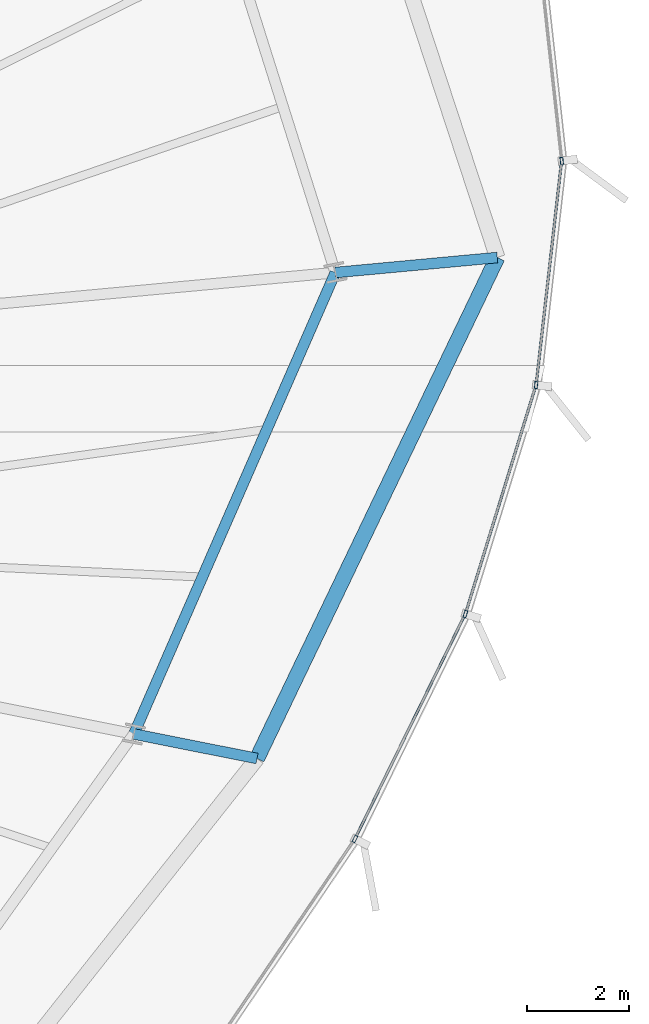
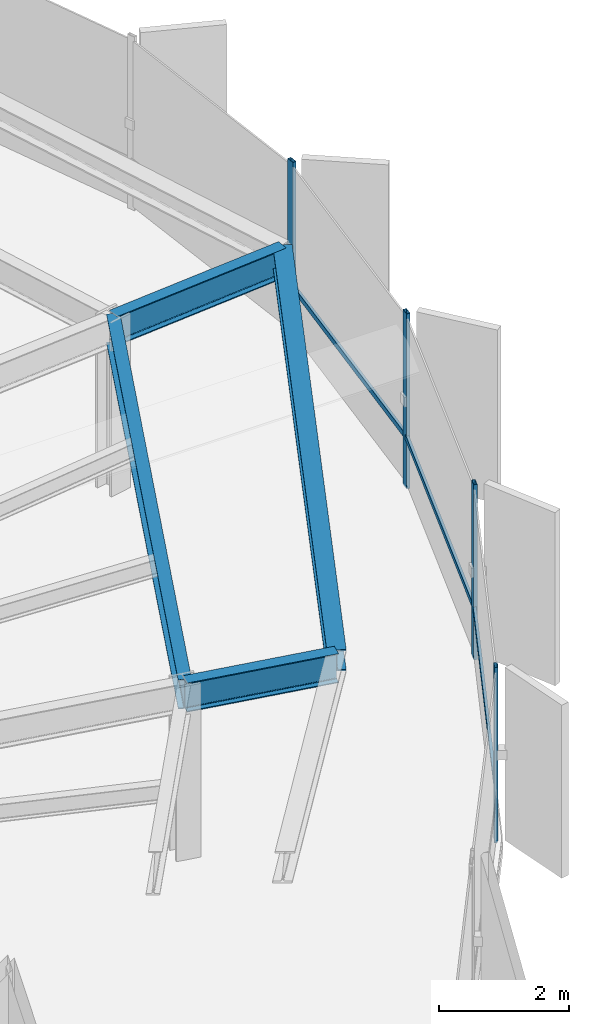
# One storey, part 16 of 36: 7 members, 4 beams, 1 element without a shape of its own.
"""IFC4 building model written with IfcOpenShell, lengths in metres."""

from ifc_helpers import new_model, si_unit, direction, frame, origin, origin_2d, place, context, subcontext, project, spatial, hollow_rectangle, i_section, extrude, source, transform, mapped, material, layer, layer_set, material_profile, profile_set, type_object, element, aggregate, save


model = new_model("IFC4")

# Units and contexts
model_context = context("Model", 3, precision=1e-05, world=origin(), true_north=direction((0.0, 1.0)))
body_context = subcontext(model_context, "Body", "Model", "MODEL_VIEW")
ifc_project = project(units=[si_unit("LENGTHUNIT", "METRE"), si_unit("AREAUNIT", "SQUARE_METRE"), si_unit("VOLUMEUNIT", "CUBIC_METRE"), si_unit("PLANEANGLEUNIT", "RADIAN"), si_unit("MASSUNIT", "GRAM", prefix="KILO"), si_unit("THERMODYNAMICTEMPERATUREUNIT", "KELVIN")], contexts=[model_context])

# Site, building, storey
site_placement = place(None, origin())
site = spatial("IfcSite", under=ifc_project, at=site_placement, CompositionType="ELEMENT")
building_placement = place(site_placement, origin())
building = spatial("IfcBuilding", under=site, at=building_placement, Name="Kethvar Cultural Tower", CompositionType="ELEMENT")
storey_placement = place(building_placement, frame((0.0, 0.0, 150.10009765625)))
storey = spatial("IfcBuildingStorey", under=building, at=storey_placement, Name="L38", CompositionType="ELEMENT", Elevation=150.10009765625)

# Beams
ifc_material_1 = material(Name="Steel S355J2", Category="steel")
ifc_material_profile_1 = material_profile(ifc_material_1, i_section(OverallWidth=0.2099609375, OverallDepth=0.550048828125, WebThickness=0.010986328125, FlangeThickness=0.01708984375, FilletRadius=0.02392578125, at=origin_2d()), Name="Steel S355J2 — IPE550")
ifc_profile_set_1 = profile_set([ifc_material_profile_1], Name="Steel S355J2 — IPE550")
beam_type_1 = type_object("IfcBeamType", Name="BM-IPE550", PredefinedType="BEAM", material=ifc_profile_set_1)
shared_shape_1 = source(origin(), body_context, "Body", "SweptSolid", [
    extrude(i_section(OverallWidth=0.2099609375, OverallDepth=0.550048828125, WebThickness=0.010986328125, FlangeThickness=0.01708984375, FilletRadius=0.02392578125, at=origin_2d()), origin(), (0.0, 0.0, 1.0), 3.199951171875),
])
beam_1_placement = place(storey_placement, frame((71.6025390625, 32.7333984375, 3.02294921875), z_axis=(0.995729641608, 0.092317283453, 0.0), x_axis=(-0.092317283453, 0.995729641608, 0.0)))
element("IfcBeam", 1, at=beam_1_placement, inside=storey, type_object=beam_type_1, Name="L38 Perimeter Cantilever Beam RC-01", PredefinedType="BEAM", context=body_context, shape_type="MappedRepresentation", body=[
    mapped(shared_shape_1, transform((0.0, 0.0, 0.0), scale=1.0)),
])
shared_shape_2 = source(origin(), body_context, "Body", "SweptSolid", [
    extrude(i_section(OverallWidth=0.2099609375, OverallDepth=0.550048828125, WebThickness=0.010986328125, FlangeThickness=0.01708984375, FilletRadius=0.02392578125, at=origin_2d()), origin(), (0.0, 0.0, 1.0), 9.90625),
])
beam_2_placement = place(storey_placement, frame((67.638671875, 23.65478515625, 3.02294921875), z_axis=(0.400138679026, 0.916454602011, 0.0), x_axis=(-0.916454602011, 0.400138679026, 0.0)))
element("IfcBeam", 2, at=beam_2_placement, inside=storey, type_object=beam_type_1, Name="L38 Column Ring Tie Beam CR-16", PredefinedType="BEAM", context=body_context, shape_type="MappedRepresentation", body=[
    mapped(shared_shape_2, transform((0.0, 0.0, 0.0), scale=1.0)),
])
shared_shape_3 = source(origin(), body_context, "Body", "SweptSolid", [
    extrude(i_section(OverallWidth=0.2099609375, OverallDepth=0.550048828125, WebThickness=0.010986328125, FlangeThickness=0.01708984375, FilletRadius=0.02392578125, at=origin_2d()), origin(), (0.0, 0.0, 1.0), 2.47021484375),
])
beam_3_placement = place(storey_placement, frame((67.638671875, 23.65478515625, 3.02294921875), z_axis=(0.980804306113, -0.194994648928, 0.0), x_axis=(0.194994648928, 0.980804306113, 0.0)))
element("IfcBeam", 3, at=beam_3_placement, inside=storey, type_object=beam_type_1, Name="L38 Perimeter Cantilever Beam RC-16", PredefinedType="BEAM", context=body_context, shape_type="MappedRepresentation", body=[
    mapped(shared_shape_3, transform((0.0, 0.0, 0.0), scale=1.0)),
])
ifc_material_profile_2 = material_profile(ifc_material_1, i_section(OverallWidth=0.300048828125, OverallDepth=0.39990234375, WebThickness=0.013427734375, FlangeThickness=0.02392578125, FilletRadius=0.027099609375, at=origin_2d()), Name="Steel S355J2 — HEB400")
ifc_profile_set_2 = profile_set([ifc_material_profile_2], Name="Steel S355J2 — HEB400")
beam_type_2 = type_object("IfcBeamType", Name="BM-SP400", PredefinedType="SPANDREL", material=ifc_profile_set_2)
shared_shape_4 = source(origin(), body_context, "Body", "SweptSolid", [
    extrude(i_section(OverallWidth=0.300048828125, OverallDepth=0.39990234375, WebThickness=0.013427734375, FlangeThickness=0.02392578125, FilletRadius=0.027099609375, at=origin_2d()), origin(), (0.0, 0.0, 1.0), 10.930908203125),
])
beam_4_placement = place(storey_placement, frame((70.0615234375, 23.173095703125, 3.097900390625), z_axis=(0.432474733651, 0.901646052924, 0.0), x_axis=(-0.901646052924, 0.432474733651, 0.0)))
element("IfcBeam", 4, at=beam_4_placement, inside=storey, type_object=beam_type_2, Name="L38 Perimeter Spandrel Beam SP-16", PredefinedType="SPANDREL", context=body_context, shape_type="MappedRepresentation", body=[
    mapped(shared_shape_4, transform((0.0, 0.0, 0.0), scale=1.0)),
])

# Curtain wall, members
ifc_material_2 = material(Name="Aluminium 6063-T6", Category="aluminium")
ifc_layer = layer(ifc_material_2, 0.179931640625, Name="Aluminium 6063-T6", Category="aluminium")
ifc_layer_set = layer_set([ifc_layer], Name="Aluminium 6063-T6 (180 mm)")
curtain_wall_type = type_object("IfcCurtainWallType", Name="CW-SYS-04-Z34", PredefinedType="NOTDEFINED", material=ifc_layer_set)
curtain_wall_placement = place(storey_placement, origin())
curtain_wall = element("IfcCurtainWall", 5, at=curtain_wall_placement, inside=storey, type_object=curtain_wall_type, Name="L38 Curtain Wall Run 06", PredefinedType="NOTDEFINED")
ifc_material_profile_3 = material_profile(ifc_material_2, hollow_rectangle(XDim=0.06005859375, YDim=0.139892578125, WallThickness=0.0048828125, at=origin_2d()), Name="Aluminium 6063-T6 — RHS140x60x5")
ifc_profile_set_3 = profile_set([ifc_material_profile_3], Name="Aluminium 6063-T6 — RHS140x60x5")
member_type_1 = type_object("IfcMemberType", Name="CW-SYS-04-Z34-MUL", PredefinedType="MULLION", material=ifc_profile_set_3)
shared_shape_5 = source(origin(), body_context, "Body", "SweptSolid", [
    extrude(hollow_rectangle(XDim=0.06005859375, YDim=0.139892578125, WallThickness=0.0048828125, at=origin_2d()), origin(), (0.0, 0.0, 1.0), 3.2998046875),
])
member_1_placement = place(storey_placement, frame((71.987060546875, 21.589599609375, 0.0), z_axis=(0.0, 0.0, 1.0), x_axis=(-0.897697152248, 0.44061300803, 0.0)))
member_1 = element("IfcMember", 6, at=member_1_placement, type_object=member_type_1, Name="CW-L38-R06 Mullion 2", PredefinedType="MULLION", context=body_context, shape_type="MappedRepresentation", body=[
    mapped(shared_shape_5, transform((0.0, 0.0, 0.0), scale=1.0)),
])
member_2_placement = place(storey_placement, frame((74.1611328125, 26.015869140625, 0.0), z_axis=(0.0, 0.0, 1.0), x_axis=(-0.955597789673, 0.294674166449, 0.0)))
member_2 = element("IfcMember", 7, at=member_2_placement, type_object=member_type_1, Name="CW-L38-R06 Mullion 3", PredefinedType="MULLION", context=body_context, shape_type="MappedRepresentation", body=[
    mapped(shared_shape_5, transform((0.0, 0.0, 0.0), scale=1.0)),
])
member_3_placement = place(storey_placement, frame((75.55224609375, 30.520751953125, 0.0), z_axis=(0.0, 0.0, 1.0), x_axis=(-0.993603429237, 0.112925751754, 0.0)))
member_3 = element("IfcMember", 8, at=member_3_placement, type_object=member_type_1, Name="CW-L38-R06 Mullion 4", PredefinedType="MULLION", context=body_context, shape_type="MappedRepresentation", body=[
    mapped(shared_shape_5, transform((0.0, 0.0, 0.0), scale=1.0)),
])
member_4_placement = place(storey_placement, frame((76.05615234375, 34.930908203125, 0.0), z_axis=(0.0, 0.0, 1.0), x_axis=(-0.993997290079, -0.109404695129, 0.0)))
member_4 = element("IfcMember", 9, at=member_4_placement, type_object=member_type_1, Name="CW-L38-R06 Mullion 5", PredefinedType="MULLION", context=body_context, shape_type="MappedRepresentation", body=[
    mapped(shared_shape_5, transform((0.0, 0.0, 0.0), scale=1.0)),
])
ifc_material_profile_4 = material_profile(ifc_material_2, hollow_rectangle(XDim=0.050048828125, YDim=0.10009765625, WallThickness=0.00390625, at=origin_2d()), Name="Aluminium 6063-T6 — RHS100x50x4")
ifc_profile_set_4 = profile_set([ifc_material_profile_4], Name="Aluminium 6063-T6 — RHS100x50x4")
member_type_2 = type_object("IfcMemberType", Name="CW-SYS-04-Z34-TRN", PredefinedType="USERDEFINED", material=ifc_profile_set_4)
shared_shape_6 = source(origin(), body_context, "Body", "SweptSolid", [
    extrude(hollow_rectangle(XDim=0.050048828125, YDim=0.10009765625, WallThickness=0.00390625, at=origin_2d()), origin(), (0.0, 0.0, 1.0), 4.8623046875),
])
member_5_placement = place(storey_placement, frame((72.006103515625, 21.628173828125, 0.949951171875), z_axis=(0.440593740839, 0.897706608828, 0.0), x_axis=(-0.897706608828, 0.440593740839, 0.0)))
member_5 = element("IfcMember", 10, at=member_5_placement, type_object=member_type_2, Name="CW-L38-R06 Transom 2", ObjectType="TRANSOM", PredefinedType="USERDEFINED", context=body_context, shape_type="MappedRepresentation", body=[
    mapped(shared_shape_6, transform((0.0, 0.0, 0.0), scale=1.0)),
])
shared_shape_7 = source(origin(), body_context, "Body", "SweptSolid", [
    extrude(hollow_rectangle(XDim=0.050048828125, YDim=0.10009765625, WallThickness=0.00390625, at=origin_2d()), origin(), (0.0, 0.0, 1.0), 4.648681640625),
])
member_6_placement = place(storey_placement, frame((74.173828125, 26.05712890625, 0.949951171875), z_axis=(0.294672563796, 0.955598283876, 0.0), x_axis=(-0.955598283876, 0.294672563796, 0.0)))
member_6 = element("IfcMember", 11, at=member_6_placement, type_object=member_type_2, Name="CW-L38-R06 Transom 3", ObjectType="TRANSOM", PredefinedType="USERDEFINED", context=body_context, shape_type="MappedRepresentation", body=[
    mapped(shared_shape_7, transform((0.0, 0.0, 0.0), scale=1.0)),
])
shared_shape_8 = source(origin(), body_context, "Body", "SweptSolid", [
    extrude(hollow_rectangle(XDim=0.050048828125, YDim=0.10009765625, WallThickness=0.00390625, at=origin_2d()), origin(), (0.0, 0.0, 1.0), 4.376708984375),
])
member_7_placement = place(storey_placement, frame((75.55712890625, 30.563720703125, 0.949951171875), z_axis=(0.112904681516, 0.993605823701, 0.0), x_axis=(-0.993605823701, 0.112904681516, 0.0)))
member_7 = element("IfcMember", 12, at=member_7_placement, type_object=member_type_2, Name="CW-L38-R06 Transom 4", ObjectType="TRANSOM", PredefinedType="USERDEFINED", context=body_context, shape_type="MappedRepresentation", body=[
    mapped(shared_shape_8, transform((0.0, 0.0, 0.0), scale=1.0)),
])
aggregate(curtain_wall, [member_1, member_2, member_3, member_4, member_5, member_6, member_7])

save(model, "model.ifc")
